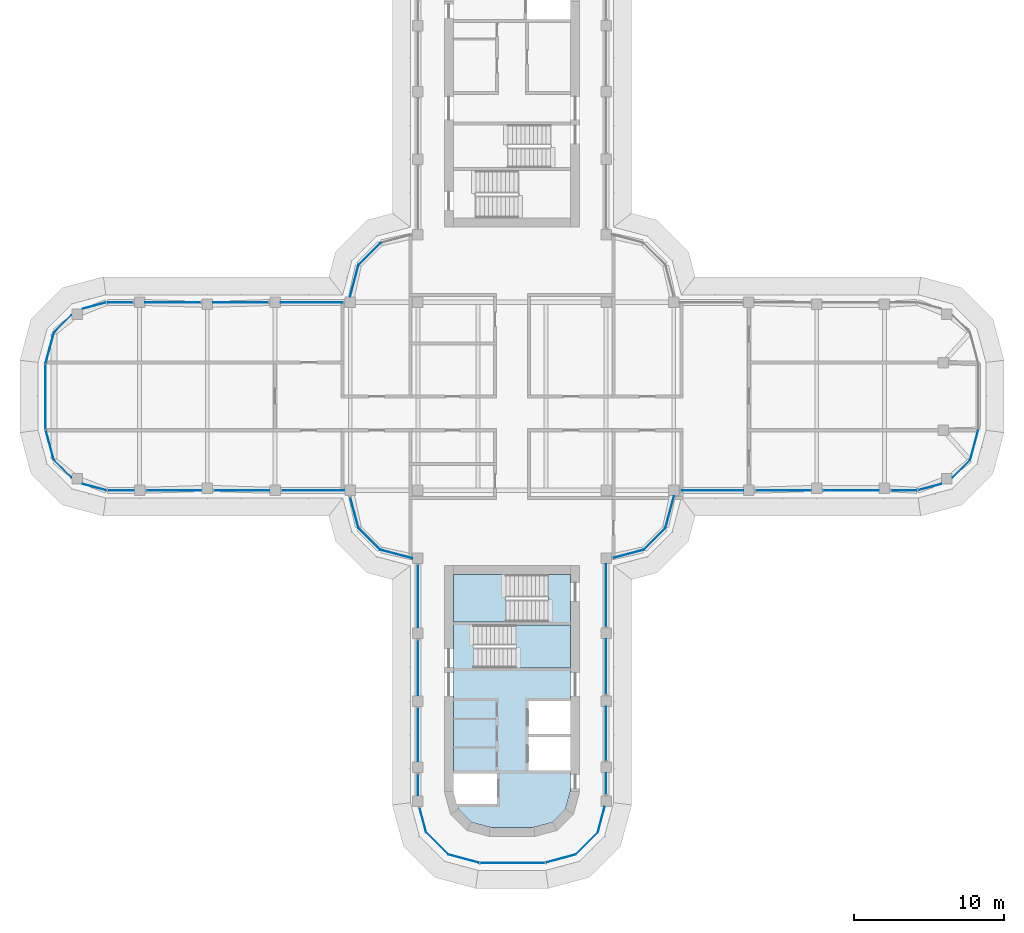
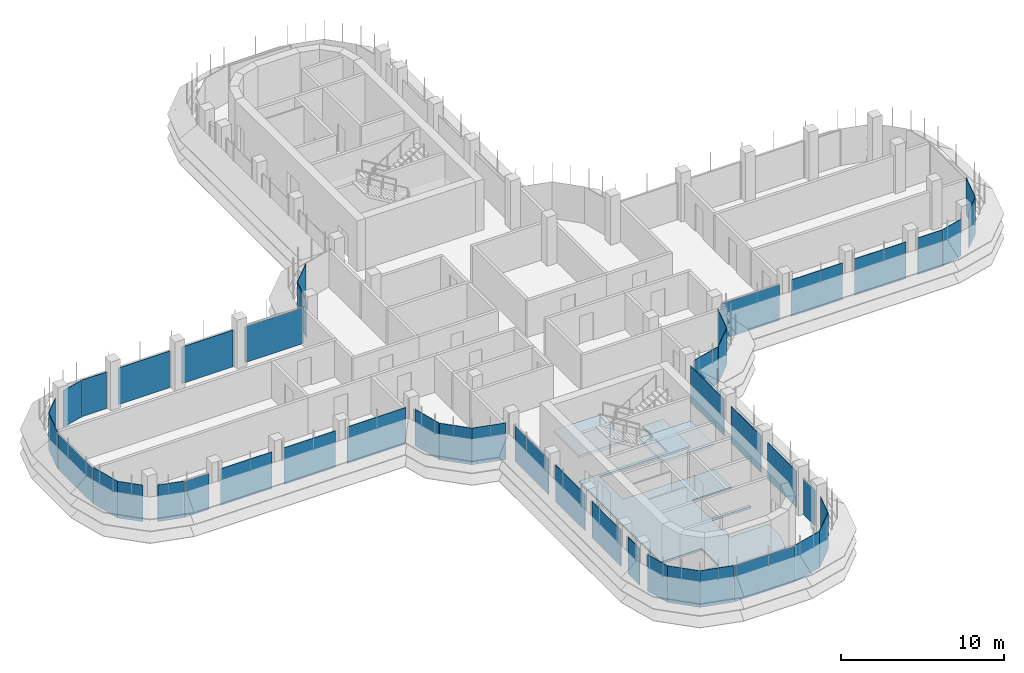
# One storey, part 11 of 19: 45 plates, 3 slabs, 32 elements without a shape of their own.
"""IFC4 building model written with IfcOpenShell, lengths in metres."""

import ifcopenshell
import ifcopenshell.guid

model = None  # the IFC model being written
_history = None  # IfcOwnerHistory: only IFC2X3 demands one
_inside = {}  # id of a spatial element -> (the spatial element, [elements in it])
_under = {}  # id of a project, library or spatial element -> (it, [spatial elements below it])
_declared = {}  # id of a project -> (the project, [libraries it declares])
_typed = {}  # id of a type object -> (the type object, [elements of that type])
_made_of = {}  # id of a material, layer set ... -> (it, [elements and type objects made of it])


def new_model(schema):
    """Start an empty IFC model of exactly this schema.

    Asked for "IFC4X3", IfcOpenShell would pick the latest addendum, in which some entities
    have other attributes; the version numbers below select the first issue.
    IFC2X3 requires an IfcOwnerHistory on every rooted entity: one is made here for all.
    """
    global model, _history
    if schema == "IFC4X3":
        model = ifcopenshell.file(schema_version=(4, 3, 0, 0))
    else:
        model = ifcopenshell.file(schema=schema)
    _inside.clear()
    _under.clear()
    _declared.clear()
    _typed.clear()
    _made_of.clear()
    _history = None
    if model.schema == "IFC2X3":
        org = make("IfcOrganization", Name="unknown")
        user = make(
            "IfcPersonAndOrganization",
            ThePerson=make("IfcPerson", FamilyName="unknown"),
            TheOrganization=org,
        )
        app = make(
            "IfcApplication",
            ApplicationDeveloper=org,
            Version="unknown",
            ApplicationFullName="unknown",
            ApplicationIdentifier="unknown",
        )
        _history = make(
            "IfcOwnerHistory",
            OwningUser=user,
            OwningApplication=app,
            ChangeAction="ADDED",
            CreationDate=0,
        )
    return model


def make(cls, **values):
    """One entity of the class cls with the attributes given. An attribute that is None is left unset."""
    return model.create_entity(
        cls, **{name: value for name, value in values.items() if value is not None}
    )


def rooted(cls, **values):
    """An entity with a GlobalId (a new one), such as an element, a storey or a relation."""
    return make(cls, GlobalId=ifcopenshell.guid.new(), OwnerHistory=_history, **values)


def si_unit(unit_type, name, prefix=None):
    """IfcSIUnit, for example si_unit("LENGTHUNIT", "METRE", prefix="MILLI")."""
    return make("IfcSIUnit", UnitType=unit_type, Prefix=prefix, Name=name)


def assignment(units):
    """IfcUnitAssignment: the units of a project."""
    return None if units is None else make("IfcUnitAssignment", Units=units)


def point(xyz):
    """IfcCartesianPoint."""
    return None if xyz is None else make("IfcCartesianPoint", Coordinates=xyz)


def direction(xyz):
    """IfcDirection."""
    return None if xyz is None else make("IfcDirection", DirectionRatios=xyz)


def frame(location, z_axis=None, x_axis=None):
    """IfcAxis2Placement3D, a coordinate frame: its origin and axes. An axis left out is left unset."""
    return make(
        "IfcAxis2Placement3D",
        Location=point(location),
        Axis=direction(z_axis),
        RefDirection=direction(x_axis),
    )


def origin():
    """The frame at (0, 0, 0) with its axes left unset."""
    return frame((0.0, 0.0, 0.0))


def place(relative_to, where):
    """IfcLocalPlacement: puts the frame where relative to a parent placement (None: the world)."""
    return make(
        "IfcLocalPlacement", PlacementRelTo=relative_to, RelativePlacement=where
    )


def context(
    kind, dimensions, precision=None, world=None, true_north=None, identifier=None
):
    """IfcGeometricRepresentationContext, for example the 3D "Model" context."""
    return make(
        "IfcGeometricRepresentationContext",
        ContextIdentifier=identifier,
        ContextType=kind,
        CoordinateSpaceDimension=dimensions,
        Precision=precision,
        WorldCoordinateSystem=world,
        TrueNorth=true_north,
    )


def subcontext(parent, identifier, kind, view, scale=None):
    """IfcGeometricRepresentationSubContext, for example "Body" below "Model"."""
    return make(
        "IfcGeometricRepresentationSubContext",
        ContextIdentifier=identifier,
        ContextType=kind,
        ParentContext=parent,
        TargetScale=scale,
        TargetView=view,
    )


def project(units=None, contexts=None):
    """IfcProject with its units and contexts."""
    return rooted(
        "IfcProject",
        Name="project",
        RepresentationContexts=contexts,
        UnitsInContext=assignment(units),
    )


def spatial(cls, under=None, at=None, **own):
    """A site, building, storey or space (cls), placed at a placement, below another one or the project."""
    s = rooted(cls, ObjectPlacement=at, **own)
    if under is not None:
        _under.setdefault(under.id(), (under, []))[1].append(s)
    return s


def polyline(points):
    """IfcPolyline through the points."""
    return make("IfcPolyline", Points=[point(p) for p in points])


def outline(outer, holes=None, kind="AREA"):
    """IfcArbitraryClosedProfileDef: a profile drawn as a closed curve; with holes, ...WithVoids."""
    if holes is None:
        return make("IfcArbitraryClosedProfileDef", ProfileType=kind, OuterCurve=outer)
    return make(
        "IfcArbitraryProfileDefWithVoids",
        ProfileType=kind,
        OuterCurve=outer,
        InnerCurves=holes,
    )


def extrude(swept, where, along, depth):
    """IfcExtrudedAreaSolid: the profile swept, set in the frame where, extruded along a direction by depth."""
    return make(
        "IfcExtrudedAreaSolid",
        SweptArea=swept,
        Position=where,
        ExtrudedDirection=direction(along),
        Depth=depth,
    )


def shape(context_of_items, identifier, shape_type, items):
    """IfcShapeRepresentation: the items that make up one representation, for example the "Body"."""
    return make(
        "IfcShapeRepresentation",
        ContextOfItems=context_of_items,
        RepresentationIdentifier=identifier,
        RepresentationType=shape_type,
        Items=items,
    )


def source(mapping_origin, context_of_items, identifier, shape_type, items):
    """IfcRepresentationMap: a shape defined once, which mapped items show again and again."""
    return make(
        "IfcRepresentationMap",
        MappingOrigin=mapping_origin,
        MappedRepresentation=shape(context_of_items, identifier, shape_type, items),
    )


def transform(
    local_origin,
    x_axis=None,
    y_axis=None,
    z_axis=None,
    scale=None,
    scale2=None,
    scale3=None,
    uniform=True,
):
    """IfcCartesianTransformationOperator3D, or its non-uniform kind. x_axis, y_axis, z_axis: its Axis1, 2, 3."""
    if uniform:
        return make(
            "IfcCartesianTransformationOperator3D",
            Axis1=direction(x_axis),
            Axis2=direction(y_axis),
            LocalOrigin=point(local_origin),
            Scale=scale,
            Axis3=direction(z_axis),
        )
    return make(
        "IfcCartesianTransformationOperator3DnonUniform",
        Axis1=direction(x_axis),
        Axis2=direction(y_axis),
        LocalOrigin=point(local_origin),
        Scale=scale,
        Axis3=direction(z_axis),
        Scale2=scale2,
        Scale3=scale3,
    )


def mapped(mapping_source, mapping_target):
    """IfcMappedItem: shows the shape of a source again, moved by a transform."""
    return make(
        "IfcMappedItem", MappingSource=mapping_source, MappingTarget=mapping_target
    )


def material(Name=None, Category=None):
    """IfcMaterial."""
    return make("IfcMaterial", Name=Name, Category=Category)


def layer(
    of_material, thickness, ventilated=None, Name=None, Category=None, Priority=None
):
    """IfcMaterialLayer: one layer of a wall or slab, of a material (None: an air gap)."""
    return make(
        "IfcMaterialLayer",
        Material=of_material,
        LayerThickness=thickness,
        IsVentilated=ventilated,
        Name=Name,
        Category=Category,
        Priority=Priority,
    )


def layer_set(layers, Name=None):
    """IfcMaterialLayerSet."""
    return make("IfcMaterialLayerSet", MaterialLayers=layers, LayerSetName=Name)


def made_of(thing, what):
    """Note that an element or type object is made of a material, layer set ...; save() writes the relation."""
    if what is not None:
        _made_of.setdefault(what.id(), (what, []))[1].append(thing)
    return thing


def type_object(cls, material=None, **own):
    """A type object (cls), such as IfcWallType, which elements share."""
    return made_of(rooted(cls, **own), material)


def element(
    cls,
    number,
    at=None,
    inside=None,
    cuts=None,
    type_object=None,
    material=None,
    context=None,
    identifier="Body",
    shape_type=None,
    held_by="IfcProductDefinitionShape",
    body=None,
    shapes=None,
    **own,
):
    """One element of the class cls, such as IfcWall. Its Tag is "e" and its number.

    at: its placement. inside: the storey or other place that contains it. cuts: it is an
    opening in that element (IfcRelVoidsElement). A single representation is given by context,
    identifier, shape_type and body (its items); several are given by shapes. held_by: the class
    of the entity that holds the representations. save() writes the other relations.
    """
    e = rooted(cls, Tag="e%d" % number, ObjectPlacement=at, **own)
    if body is not None:
        shapes = [shape(context, identifier, shape_type, body)]
    if shapes is not None:
        e.Representation = make(held_by, Representations=shapes)
    if inside is not None:
        _inside.setdefault(inside.id(), (inside, []))[1].append(e)
    if cuts is not None:
        rooted(
            "IfcRelVoidsElement", RelatingBuildingElement=cuts, RelatedOpeningElement=e
        )
    if type_object is not None:
        _typed.setdefault(type_object.id(), (type_object, []))[1].append(e)
    return made_of(e, material)


def aggregate(whole, parts):
    """IfcRelAggregates: a whole, such as a stair, and the parts it consists of."""
    return rooted("IfcRelAggregates", RelatingObject=whole, RelatedObjects=parts)


def save(model, path):
    """Write the relations noted so far, then the file.

    IfcRelAggregates (storeys below a building ...), IfcRelContainedInSpatialStructure (elements
    in a storey), IfcRelDefinesByType, IfcRelAssociatesMaterial and IfcRelDeclares: one each for
    every whole, place, type object, material and project.
    """
    for whole, parts in _under.values():
        aggregate(whole, parts)
    for where, things in _inside.values():
        rooted(
            "IfcRelContainedInSpatialStructure",
            RelatedElements=things,
            RelatingStructure=where,
        )
    for kind, things in _typed.values():
        rooted("IfcRelDefinesByType", RelatedObjects=things, RelatingType=kind)
    for what, things in _made_of.values():
        rooted("IfcRelAssociatesMaterial", RelatedObjects=things, RelatingMaterial=what)
    for by, libraries in _declared.values():
        rooted("IfcRelDeclares", RelatingContext=by, RelatedDefinitions=libraries)
    model.write(path)


model = new_model("IFC4")

# Units and contexts
model_context = context("Model", 3, precision=1e-05, world=origin(), true_north=direction((0.0, 1.0)))
body_context = subcontext(model_context, "Body", "Model", "MODEL_VIEW")
ifc_project = project(units=[si_unit("LENGTHUNIT", "METRE"), si_unit("AREAUNIT", "SQUARE_METRE"), si_unit("VOLUMEUNIT", "CUBIC_METRE"), si_unit("PLANEANGLEUNIT", "RADIAN"), si_unit("MASSUNIT", "GRAM", prefix="KILO")], contexts=[model_context])

# Site, building, storey
site_placement = place(None, origin())
site = spatial("IfcSite", under=ifc_project, at=site_placement, CompositionType="ELEMENT")
building_placement = place(site_placement, origin())
building = spatial("IfcBuilding", under=site, at=building_placement, Name="Zarbagh Exchange Tower", CompositionType="ELEMENT")
storey_placement = place(building_placement, frame((0.0, 0.0, 199.199951171875)))
storey = spatial("IfcBuildingStorey", under=building, at=storey_placement, Name="L48", CompositionType="ELEMENT", Elevation=199.199951171875)

# Slab
ifc_material_1 = material(Name="Concrete C40/50", Category="concrete")
ifc_layer_1 = layer(ifc_material_1, 0.14990234375)
ifc_layer_set_1 = layer_set([ifc_layer_1], Name="Core floor slab 150 C40/50")
slab_type_1 = type_object("IfcSlabType", Name="Core floor slab 150 C40/50", PredefinedType="FLOOR", material=ifc_layer_set_1)
slab_1_placement = place(storey_placement, frame((0.0, 0.0, -0.14990234375)))
element("IfcSlab", 1, at=slab_1_placement, inside=storey, type_object=slab_type_1, Name="S17 core S", PredefinedType="FLOOR", context=body_context, shape_type="SweptSolid", body=[
    extrude(outline(polyline([(-2.689453125, -28.31005859375), (-3.56005859375, -27.439453125), (-3.651123046875, -27.10009765625), (-1.0, -27.10009765625), (-1.0, -25.050048828125), (-3.89990234375, -25.050048828125), (-3.89990234375, -15.0), (2.39990234375, -15.0), (2.39990234375, -11.85009765625), (3.89990234375, -11.85009765625), (3.89990234375, -15.199951171875), (-2.550048828125, -15.199951171875), (-2.550048828125, -18.050048828125), (3.89990234375, -18.050048828125), (3.89990234375, -20.25), (1.10009765625, -20.25), (1.10009765625, -22.449951171875), (3.89990234375, -22.449951171875), (3.89990234375, -22.64990234375), (1.10009765625, -22.64990234375), (1.10009765625, -24.85009765625), (3.89990234375, -24.85009765625), (3.89990234375, -26.1708984375), (3.56005859375, -27.439453125), (2.689453125, -28.31005859375), (1.4208984375, -28.64990234375), (-1.4208984375, -28.64990234375), (-2.689453125, -28.31005859375)])), origin(), (0.0, 0.0, 1.0), 0.14990234375),
])

# Stair, slab
stair_type = type_object("IfcStairType", Name="Exit stair two-flight half-turn", PredefinedType="HALF_TURN_STAIR", material=ifc_material_1)
stair_1_placement = place(storey_placement, origin())
stair_1 = element("IfcStair", 2, at=stair_1_placement, inside=storey, type_object=stair_type, Name="exit stair ST3", PredefinedType="HALF_TURN_STAIR")
ifc_layer_2 = layer(ifc_material_1, 0.199951171875)
ifc_layer_set_2 = layer_set([ifc_layer_2], Name="Stair landing 200 mm")
slab_type_2 = type_object("IfcSlabType", Name="Stair landing 200 mm", PredefinedType="LANDING", material=ifc_layer_set_2)
slab_2_placement = place(storey_placement, frame((0.0, 0.0, 1.699951171875)))
slab_2 = element("IfcSlab", 3, at=slab_2_placement, type_object=slab_type_2, Name="ST3 landing 1", PredefinedType="LANDING", context=body_context, shape_type="SweptSolid", body=[
    extrude(outline(polyline([(0.25, -18.050048828125), (3.89990234375, -18.050048828125), (3.89990234375, -15.199951171875), (0.25, -15.199951171875), (0.25, -18.050048828125)])), origin(), (0.0, 0.0, 1.0), 0.2001953125),
])
aggregate(stair_1, [slab_2])

stair_2_placement = place(storey_placement, origin())
stair_2 = element("IfcStair", 4, at=stair_2_placement, inside=storey, type_object=stair_type, Name="exit stair ST4", PredefinedType="HALF_TURN_STAIR")
slab_3_placement = place(storey_placement, frame((0.0, 0.0, 1.699951171875)))
slab_3 = element("IfcSlab", 5, at=slab_3_placement, type_object=slab_type_2, Name="ST4 landing 1", PredefinedType="LANDING", context=body_context, shape_type="SweptSolid", body=[
    extrude(outline(polyline([(-0.39990234375, -11.85009765625), (-3.89990234375, -11.85009765625), (-3.89990234375, -15.0), (-0.39990234375, -15.0), (-0.39990234375, -11.85009765625)])), origin(), (0.0, 0.0, 1.0), 0.2001953125),
])
aggregate(stair_2, [slab_3])

# Curtain wall, plate
ifc_material_2 = material(Name="Anodised aluminium frame and glazing", Category="aluminium")
curtain_wall_type = type_object("IfcCurtainWallType", Name="CWB Ribbon glazing, upper zones", PredefinedType="NOTDEFINED", material=ifc_material_2)
curtain_wall_1_placement = place(storey_placement, origin())
curtain_wall_1 = element("IfcCurtainWall", 6, at=curtain_wall_1_placement, inside=storey, type_object=curtain_wall_type, Name="CWB50 curtain wall", PredefinedType="NOTDEFINED")
ifc_material_3 = material(Name="Low-e double glazed unit, 6+12+6 mm")
ifc_layer_3 = layer(ifc_material_3, 0.031982421875)
ifc_layer_set_3 = layer_set([ifc_layer_3], Name="PAB Glazing panel, Low-e double glazed unit, 6+12+6 mm")
plate_type = type_object("IfcPlateType", Name="PAB Glazing panel, Low-e double glazed unit, 6+12+6 mm", PredefinedType="CURTAIN_PANEL", material=ifc_layer_set_3)
shared_shape_1 = source(origin(), body_context, "Body", "SweptSolid", [
    extrude(outline(polyline([(0.0, -0.01611328125), (2.061279296875, -0.01611328125), (2.061279296875, 0.01611328125), (0.0, 0.01611328125), (0.0, -0.01611328125)])), origin(), (0.0, 0.0, 1.0), 2.75),
])
placement = place(storey_placement, origin())
plate_1 = element("IfcPlate", 7, at=placement, type_object=plate_type, Name="CWB50 glazing panel 1.1", PredefinedType="CURTAIN_PANEL", context=body_context, shape_type="MappedRepresentation", body=[
    mapped(shared_shape_1, transform((4.2412109375, -30.44873046875, 0.0), x_axis=(0.707106781187, 0.707106781187, 0.0), y_axis=(-0.707106781187, 0.707106781187, 0.0), z_axis=(0.0, 0.0, 1.0))),
])
aggregate(curtain_wall_1, [plate_1])

curtain_wall_2_placement = place(storey_placement, origin())
curtain_wall_2 = element("IfcCurtainWall", 8, at=curtain_wall_2_placement, inside=storey, type_object=curtain_wall_type, Name="CWB06 curtain wall", PredefinedType="NOTDEFINED")
plate_2 = element("IfcPlate", 9, at=placement, type_object=plate_type, Name="CWB06 glazing panel 1.1", PredefinedType="CURTAIN_PANEL", context=body_context, shape_type="MappedRepresentation", body=[
    mapped(shared_shape_1, transform((8.7412109375, -10.19873046875, 0.0), x_axis=(0.707106781187, 0.707106781187, 0.0), y_axis=(-0.707106781187, 0.707106781187, 0.0), z_axis=(0.0, 0.0, 1.0))),
])
aggregate(curtain_wall_2, [plate_2])

curtain_wall_3_placement = place(storey_placement, origin())
curtain_wall_3 = element("IfcCurtainWall", 10, at=curtain_wall_3_placement, inside=storey, type_object=curtain_wall_type, Name="CWB30 curtain wall", PredefinedType="NOTDEFINED")
plate_3 = element("IfcPlate", 11, at=placement, type_object=plate_type, Name="CWB30 glazing panel 1.1", PredefinedType="CURTAIN_PANEL", context=body_context, shape_type="MappedRepresentation", body=[
    mapped(shared_shape_1, transform((-8.7412109375, 10.19873046875, 0.0), x_axis=(-0.707106781187, -0.707106781187, 0.0), y_axis=(0.707106781187, -0.707106781187, 0.0), z_axis=(0.0, 0.0, 1.0))),
])
aggregate(curtain_wall_3, [plate_3])

curtain_wall_4_placement = place(storey_placement, origin())
curtain_wall_4 = element("IfcCurtainWall", 12, at=curtain_wall_4_placement, inside=storey, type_object=curtain_wall_type, Name="CWB42 curtain wall", PredefinedType="NOTDEFINED")
plate_4 = element("IfcPlate", 13, at=placement, type_object=plate_type, Name="CWB42 glazing panel 1.1", PredefinedType="CURTAIN_PANEL", context=body_context, shape_type="MappedRepresentation", body=[
    mapped(shared_shape_1, transform((-10.19873046875, -8.7412109375, 0.0), x_axis=(0.707106781187, -0.707106781187, 0.0), y_axis=(0.707106781187, 0.707106781187, 0.0), z_axis=(0.0, 0.0, 1.0))),
])
aggregate(curtain_wall_4, [plate_4])

curtain_wall_5_placement = place(storey_placement, origin())
curtain_wall_5 = element("IfcCurtainWall", 14, at=curtain_wall_5_placement, inside=storey, type_object=curtain_wall_type, Name="CWB55 curtain wall", PredefinedType="NOTDEFINED")
plate_5 = element("IfcPlate", 15, at=placement, type_object=plate_type, Name="CWB55 glazing panel 1.1", PredefinedType="CURTAIN_PANEL", context=body_context, shape_type="MappedRepresentation", body=[
    mapped(shared_shape_1, transform((-5.69873046875, -28.9912109375, 0.0), x_axis=(0.707106781187, -0.707106781187, 0.0), y_axis=(0.707106781187, 0.707106781187, 0.0), z_axis=(0.0, 0.0, 1.0))),
])
aggregate(curtain_wall_5, [plate_5])

curtain_wall_6_placement = place(storey_placement, origin())
curtain_wall_6 = element("IfcCurtainWall", 16, at=curtain_wall_6_placement, inside=storey, type_object=curtain_wall_type, Name="CWB11 curtain wall", PredefinedType="NOTDEFINED")
shared_shape_2 = source(origin(), body_context, "Body", "SweptSolid", [
    extrude(outline(polyline([(0.0, -0.01611328125), (2.129638671875, -0.01611328125), (2.129638671875, 0.01611328125), (0.0, 0.01611328125), (0.0, -0.01611328125)])), origin(), (0.0, 0.0, 1.0), 2.75),
])
plate_6 = element("IfcPlate", 17, at=placement, type_object=plate_type, Name="CWB11 glazing panel 1.1", PredefinedType="CURTAIN_PANEL", context=body_context, shape_type="MappedRepresentation", body=[
    mapped(shared_shape_2, transform((30.44873046875, -4.2412109375, 0.0), x_axis=(0.258824779902, 0.965924289636, 0.0), y_axis=(-0.965924289636, 0.258824779902, 0.0), z_axis=(0.0, 0.0, 1.0))),
])
aggregate(curtain_wall_6, [plate_6])

curtain_wall_7_placement = place(storey_placement, origin())
curtain_wall_7 = element("IfcCurtainWall", 18, at=curtain_wall_7_placement, inside=storey, type_object=curtain_wall_type, Name="CWB61 curtain wall", PredefinedType="NOTDEFINED")
plate_7 = element("IfcPlate", 19, at=placement, type_object=plate_type, Name="CWB61 glazing panel 1.1", PredefinedType="CURTAIN_PANEL", context=body_context, shape_type="MappedRepresentation", body=[
    mapped(shared_shape_2, transform((-30.44873046875, 4.2412109375, 0.0), x_axis=(-0.258824779902, -0.965924289636, 0.0), y_axis=(0.965924289636, -0.258824779902, 0.0), z_axis=(0.0, 0.0, 1.0))),
])
aggregate(curtain_wall_7, [plate_7])

curtain_wall_8_placement = place(storey_placement, origin())
curtain_wall_8 = element("IfcCurtainWall", 20, at=curtain_wall_8_placement, inside=storey, type_object=curtain_wall_type, Name="CWB56 curtain wall", PredefinedType="NOTDEFINED")
plate_8 = element("IfcPlate", 21, at=placement, type_object=plate_type, Name="CWB56 glazing panel 1.1", PredefinedType="CURTAIN_PANEL", context=body_context, shape_type="MappedRepresentation", body=[
    mapped(shared_shape_2, transform((-4.2412109375, -30.44873046875, 0.0), x_axis=(0.965924289636, -0.258824779902, 0.0), y_axis=(0.258824779902, 0.965924289636, 0.0), z_axis=(0.0, 0.0, 1.0))),
])
aggregate(curtain_wall_8, [plate_8])

curtain_wall_9_placement = place(storey_placement, origin())
curtain_wall_9 = element("IfcCurtainWall", 22, at=curtain_wall_9_placement, inside=storey, type_object=curtain_wall_type, Name="CWB52 curtain wall", PredefinedType="NOTDEFINED")
shared_shape_3 = source(origin(), body_context, "Body", "SweptSolid", [
    extrude(outline(polyline([(0.0, -0.01611328125), (3.56005859375, -0.01611328125), (3.56005859375, 0.01611328125), (0.0, 0.01611328125), (0.0, -0.01611328125)])), origin(), (0.0, 0.0, 1.0), 2.75),
])
plate_9 = element("IfcPlate", 23, at=placement, type_object=plate_type, Name="CWB52 glazing panel 2.1", PredefinedType="CURTAIN_PANEL", context=body_context, shape_type="MappedRepresentation", body=[
    mapped(shared_shape_3, transform((6.25, -24.199951171875, 0.0), x_axis=(0.0, 1.0, 0.0), y_axis=(-1.0, 0.0, 0.0), z_axis=(0.0, 0.0, 1.0))),
])

curtain_wall_10_placement = place(storey_placement, origin())
curtain_wall_10 = element("IfcCurtainWall", 24, at=curtain_wall_10_placement, inside=storey, type_object=curtain_wall_type, Name="CWB53 curtain wall", PredefinedType="NOTDEFINED")
plate_10 = element("IfcPlate", 25, at=placement, type_object=plate_type, Name="CWB53 glazing panel 3.1", PredefinedType="CURTAIN_PANEL", context=body_context, shape_type="MappedRepresentation", body=[
    mapped(shared_shape_3, transform((-6.25, -20.699951171875, 0.0), x_axis=(0.0, -1.0, 0.0), y_axis=(1.0, 0.0, 0.0), z_axis=(0.0, 0.0, 1.0))),
])

curtain_wall_11_placement = place(storey_placement, origin())
curtain_wall_11 = element("IfcCurtainWall", 26, at=curtain_wall_11_placement, inside=storey, type_object=curtain_wall_type, Name="CWB66 curtain wall", PredefinedType="NOTDEFINED")
shared_shape_4 = source(origin(), body_context, "Body", "SweptSolid", [
    extrude(outline(polyline([(0.0, -0.01611328125), (4.308349609375, -0.01611328125), (4.308349609375, 0.01611328125), (0.0, 0.01611328125), (0.0, -0.01611328125)])), origin(), (0.0, 0.0, 1.0), 2.68994140625),
])
plate_11 = element("IfcPlate", 27, at=placement, type_object=plate_type, Name="CWB66 glazing panel 1.1", PredefinedType="CURTAIN_PANEL", context=body_context, shape_type="MappedRepresentation", body=[
    mapped(shared_shape_4, transform((-31.0, 2.124267578125, 0.0), x_axis=(0.0, -1.0, 0.0), y_axis=(1.0, 0.0, 0.0), z_axis=(0.0, 0.0, 1.0))),
])
aggregate(curtain_wall_11, [plate_11])

curtain_wall_12_placement = place(storey_placement, origin())
curtain_wall_12 = element("IfcCurtainWall", 28, at=curtain_wall_12_placement, inside=storey, type_object=curtain_wall_type, Name="CWB57 curtain wall", PredefinedType="NOTDEFINED")
plate_12 = element("IfcPlate", 29, at=placement, type_object=plate_type, Name="CWB57 glazing panel 1.1", PredefinedType="CURTAIN_PANEL", context=body_context, shape_type="MappedRepresentation", body=[
    mapped(shared_shape_4, transform((-2.124267578125, -31.0, 0.0), x_axis=(1.0, 0.0, 0.0), y_axis=(0.0, 1.0, 0.0), z_axis=(0.0, 0.0, 1.0))),
])
aggregate(curtain_wall_12, [plate_12])

curtain_wall_13_placement = place(storey_placement, origin())
curtain_wall_13 = element("IfcCurtainWall", 30, at=curtain_wall_13_placement, inside=storey, type_object=curtain_wall_type, Name="CWB49 curtain wall", PredefinedType="NOTDEFINED")
shared_shape_5 = source(origin(), body_context, "Body", "SweptSolid", [
    extrude(outline(polyline([(0.0, -0.01611328125), (2.069580078125, -0.01611328125), (2.069580078125, 0.01611328125), (0.0, 0.01611328125), (0.0, -0.01611328125)])), origin(), (0.0, 0.0, 1.0), 2.75),
])
plate_13 = element("IfcPlate", 31, at=placement, type_object=plate_type, Name="CWB49 glazing panel 1.1", PredefinedType="CURTAIN_PANEL", context=body_context, shape_type="MappedRepresentation", body=[
    mapped(shared_shape_5, transform((2.2421875, -30.984375, 0.0), x_axis=(0.965924289636, 0.258824779902, 0.0), y_axis=(-0.258824779902, 0.965924289636, 0.0), z_axis=(0.0, 0.0, 1.0))),
])
aggregate(curtain_wall_13, [plate_13])

curtain_wall_14_placement = place(storey_placement, origin())
curtain_wall_14 = element("IfcCurtainWall", 32, at=curtain_wall_14_placement, inside=storey, type_object=curtain_wall_type, Name="CWB62 curtain wall", PredefinedType="NOTDEFINED")
plate_14 = element("IfcPlate", 33, at=placement, type_object=plate_type, Name="CWB62 glazing panel 1.1", PredefinedType="CURTAIN_PANEL", context=body_context, shape_type="MappedRepresentation", body=[
    mapped(shared_shape_5, transform((-30.984375, -2.2421875, 0.0), x_axis=(0.258824779902, -0.965924289636, 0.0), y_axis=(0.965924289636, 0.258824779902, 0.0), z_axis=(0.0, 0.0, 1.0))),
])
aggregate(curtain_wall_14, [plate_14])

curtain_wall_15_placement = place(storey_placement, origin())
curtain_wall_15 = element("IfcCurtainWall", 34, at=curtain_wall_15_placement, inside=storey, type_object=curtain_wall_type, Name="CWB51 curtain wall", PredefinedType="NOTDEFINED")
shared_shape_6 = source(origin(), body_context, "Body", "SweptSolid", [
    extrude(outline(polyline([(0.0, -0.01611328125), (1.76123046875, -0.01611328125), (1.76123046875, 0.01611328125), (0.0, 0.01611328125), (0.0, -0.01611328125)])), origin(), (0.0, 0.0, 1.0), 2.75),
])
plate_15 = element("IfcPlate", 35, at=placement, type_object=plate_type, Name="CWB51 glazing panel 1.1", PredefinedType="CURTAIN_PANEL", context=body_context, shape_type="MappedRepresentation", body=[
    mapped(shared_shape_6, transform((5.69873046875, -28.9912109375, 0.0), x_axis=(0.258824779902, 0.965924289636, 0.0), y_axis=(-0.965924289636, 0.258824779902, 0.0), z_axis=(0.0, 0.0, 1.0))),
])
aggregate(curtain_wall_15, [plate_15])

# Plate
shared_shape_7 = source(origin(), body_context, "Body", "SweptSolid", [
    extrude(outline(polyline([(0.0, -0.01611328125), (1.409912109375, -0.01611328125), (1.409912109375, 0.01611328125), (0.0, 0.01611328125), (0.0, -0.01611328125)])), origin(), (0.0, 0.0, 1.0), 2.68994140625),
])
plate_16 = element("IfcPlate", 36, at=placement, type_object=plate_type, Name="CWB52 glazing panel 1.1", PredefinedType="CURTAIN_PANEL", context=body_context, shape_type="MappedRepresentation", body=[
    mapped(shared_shape_7, transform((6.25, -26.449951171875, 0.0), x_axis=(0.0, 1.0, 0.0), y_axis=(-1.0, 0.0, 0.0), z_axis=(0.0, 0.0, 1.0))),
])

shared_shape_8 = source(origin(), body_context, "Body", "SweptSolid", [
    extrude(outline(polyline([(0.0, -0.01611328125), (3.659912109375, -0.01611328125), (3.659912109375, 0.01611328125), (0.0, 0.01611328125), (0.0, -0.01611328125)])), origin(), (0.0, 0.0, 1.0), 2.75),
])
plate_17 = element("IfcPlate", 37, at=placement, type_object=plate_type, Name="CWB52 glazing panel 3.1", PredefinedType="CURTAIN_PANEL", context=body_context, shape_type="MappedRepresentation", body=[
    mapped(shared_shape_8, transform((6.25, -19.800048828125, 0.0), x_axis=(0.0, 1.0, 0.0), y_axis=(-1.0, 0.0, 0.0), z_axis=(0.0, 0.0, 1.0))),
])

# Curtain wall, plates
curtain_wall_16_placement = place(storey_placement, origin())
curtain_wall_16 = element("IfcCurtainWall", 38, at=curtain_wall_16_placement, inside=storey, type_object=curtain_wall_type, Name="CWB08 curtain wall", PredefinedType="NOTDEFINED")
plate_18 = element("IfcPlate", 39, at=placement, type_object=plate_type, Name="CWB08 glazing panel 2.1", PredefinedType="CURTAIN_PANEL", context=body_context, shape_type="MappedRepresentation", body=[
    mapped(shared_shape_8, transform((16.199951171875, -6.25, 0.0), x_axis=(1.0, 0.0, 0.0), y_axis=(0.0, 1.0, 0.0), z_axis=(0.0, 0.0, 1.0))),
])
plate_19 = element("IfcPlate", 40, at=placement, type_object=plate_type, Name="CWB08 glazing panel 3.1", PredefinedType="CURTAIN_PANEL", context=body_context, shape_type="MappedRepresentation", body=[
    mapped(shared_shape_8, transform((20.699951171875, -6.25, 0.0), x_axis=(1.0, 0.0, 0.0), y_axis=(0.0, 1.0, 0.0), z_axis=(0.0, 0.0, 1.0))),
])

curtain_wall_17_placement = place(storey_placement, origin())
curtain_wall_17 = element("IfcCurtainWall", 41, at=curtain_wall_17_placement, inside=storey, type_object=curtain_wall_type, Name="CWB58 curtain wall", PredefinedType="NOTDEFINED")
plate_20 = element("IfcPlate", 42, at=placement, type_object=plate_type, Name="CWB58 glazing panel 2.1", PredefinedType="CURTAIN_PANEL", context=body_context, shape_type="MappedRepresentation", body=[
    mapped(shared_shape_8, transform((-16.199951171875, 6.25, 0.0), x_axis=(-1.0, 0.0, 0.0), y_axis=(0.0, -1.0, 0.0), z_axis=(0.0, 0.0, 1.0))),
])
plate_21 = element("IfcPlate", 43, at=placement, type_object=plate_type, Name="CWB58 glazing panel 3.1", PredefinedType="CURTAIN_PANEL", context=body_context, shape_type="MappedRepresentation", body=[
    mapped(shared_shape_8, transform((-20.699951171875, 6.25, 0.0), x_axis=(-1.0, 0.0, 0.0), y_axis=(0.0, -1.0, 0.0), z_axis=(0.0, 0.0, 1.0))),
])

curtain_wall_18_placement = place(storey_placement, origin())
curtain_wall_18 = element("IfcCurtainWall", 44, at=curtain_wall_18_placement, inside=storey, type_object=curtain_wall_type, Name="CWB65 curtain wall", PredefinedType="NOTDEFINED")
plate_22 = element("IfcPlate", 45, at=placement, type_object=plate_type, Name="CWB65 glazing panel 2.1", PredefinedType="CURTAIN_PANEL", context=body_context, shape_type="MappedRepresentation", body=[
    mapped(shared_shape_8, transform((-24.300048828125, -6.25, 0.0), x_axis=(1.0, 0.0, 0.0), y_axis=(0.0, 1.0, 0.0), z_axis=(0.0, 0.0, 1.0))),
])
plate_23 = element("IfcPlate", 46, at=placement, type_object=plate_type, Name="CWB65 glazing panel 3.1", PredefinedType="CURTAIN_PANEL", context=body_context, shape_type="MappedRepresentation", body=[
    mapped(shared_shape_8, transform((-19.800048828125, -6.25, 0.0), x_axis=(1.0, 0.0, 0.0), y_axis=(0.0, 1.0, 0.0), z_axis=(0.0, 0.0, 1.0))),
])

# Plate
plate_24 = element("IfcPlate", 47, at=placement, type_object=plate_type, Name="CWB53 glazing panel 2.1", PredefinedType="CURTAIN_PANEL", context=body_context, shape_type="MappedRepresentation", body=[
    mapped(shared_shape_8, transform((-6.25, -16.199951171875, 0.0), x_axis=(0.0, -1.0, 0.0), y_axis=(1.0, 0.0, 0.0), z_axis=(0.0, 0.0, 1.0))),
])

shared_shape_9 = source(origin(), body_context, "Body", "SweptSolid", [
    extrude(outline(polyline([(0.0, -0.01611328125), (4.159912109375, -0.01611328125), (4.159912109375, 0.01611328125), (0.0, 0.01611328125), (0.0, -0.01611328125)])), origin(), (0.0, 0.0, 1.0), 2.75),
])
plate_25 = element("IfcPlate", 48, at=placement, type_object=plate_type, Name="CWB52 glazing panel 4.1", PredefinedType="CURTAIN_PANEL", context=body_context, shape_type="MappedRepresentation", body=[
    mapped(shared_shape_9, transform((6.25, -15.300048828125, 0.0), x_axis=(0.0, 1.0, 0.0), y_axis=(-1.0, 0.0, 0.0), z_axis=(0.0, 0.0, 1.0))),
])

aggregate(curtain_wall_9, [plate_16, plate_9, plate_17, plate_25])

plate_26 = element("IfcPlate", 49, at=placement, type_object=plate_type, Name="CWB65 glazing panel 4.1", PredefinedType="CURTAIN_PANEL", context=body_context, shape_type="MappedRepresentation", body=[
    mapped(shared_shape_9, transform((-15.300048828125, -6.25, 0.0), x_axis=(1.0, 0.0, 0.0), y_axis=(0.0, 1.0, 0.0), z_axis=(0.0, 0.0, 1.0))),
])

# Curtain wall, plate
curtain_wall_19_placement = place(storey_placement, origin())
curtain_wall_19 = element("IfcCurtainWall", 50, at=curtain_wall_19_placement, inside=storey, type_object=curtain_wall_type, Name="CWB05 curtain wall", PredefinedType="NOTDEFINED")
shared_shape_10 = source(origin(), body_context, "Body", "SweptSolid", [
    extrude(outline(polyline([(0.0, -0.01611328125), (2.115234375, -0.01611328125), (2.115234375, 0.01611328125), (0.0, 0.01611328125), (0.0, -0.01611328125)])), origin(), (0.0, 0.0, 1.0), 2.75),
])
plate_27 = element("IfcPlate", 51, at=placement, type_object=plate_type, Name="CWB05 glazing panel 1.1", PredefinedType="CURTAIN_PANEL", context=body_context, shape_type="MappedRepresentation", body=[
    mapped(shared_shape_10, transform((6.697998046875, -10.746337890625, 0.0), x_axis=(0.965924289636, 0.258824779902, 0.0), y_axis=(-0.258824779902, 0.965924289636, 0.0), z_axis=(0.0, 0.0, 1.0))),
])
aggregate(curtain_wall_19, [plate_27])

curtain_wall_20_placement = place(storey_placement, origin())
curtain_wall_20 = element("IfcCurtainWall", 52, at=curtain_wall_20_placement, inside=storey, type_object=curtain_wall_type, Name="CWB41 curtain wall", PredefinedType="NOTDEFINED")
plate_28 = element("IfcPlate", 53, at=placement, type_object=plate_type, Name="CWB41 glazing panel 1.1", PredefinedType="CURTAIN_PANEL", context=body_context, shape_type="MappedRepresentation", body=[
    mapped(shared_shape_10, transform((-10.746337890625, -6.697998046875, 0.0), x_axis=(0.258824779902, -0.965924289636, 0.0), y_axis=(0.965924289636, 0.258824779902, 0.0), z_axis=(0.0, 0.0, 1.0))),
])
aggregate(curtain_wall_20, [plate_28])

curtain_wall_21_placement = place(storey_placement, origin())
curtain_wall_21 = element("IfcCurtainWall", 54, at=curtain_wall_21_placement, inside=storey, type_object=curtain_wall_type, Name="CWB07 curtain wall", PredefinedType="NOTDEFINED")
shared_shape_11 = source(origin(), body_context, "Body", "SweptSolid", [
    extrude(outline(polyline([(0.0, -0.01611328125), (2.17529296875, -0.01611328125), (2.17529296875, 0.01611328125), (0.0, 0.01611328125), (0.0, -0.01611328125)])), origin(), (0.0, 0.0, 1.0), 2.75),
])
plate_29 = element("IfcPlate", 55, at=placement, type_object=plate_type, Name="CWB07 glazing panel 1.1", PredefinedType="CURTAIN_PANEL", context=body_context, shape_type="MappedRepresentation", body=[
    mapped(shared_shape_11, transform((10.19873046875, -8.7412109375, 0.0), x_axis=(0.258824779902, 0.965924289636, 0.0), y_axis=(-0.965924289636, 0.258824779902, 0.0), z_axis=(0.0, 0.0, 1.0))),
])
aggregate(curtain_wall_21, [plate_29])

curtain_wall_22_placement = place(storey_placement, origin())
curtain_wall_22 = element("IfcCurtainWall", 56, at=curtain_wall_22_placement, inside=storey, type_object=curtain_wall_type, Name="CWB31 curtain wall", PredefinedType="NOTDEFINED")
plate_30 = element("IfcPlate", 57, at=placement, type_object=plate_type, Name="CWB31 glazing panel 1.1", PredefinedType="CURTAIN_PANEL", context=body_context, shape_type="MappedRepresentation", body=[
    mapped(shared_shape_11, transform((-10.19873046875, 8.7412109375, 0.0), x_axis=(-0.258824779902, -0.965924289636, 0.0), y_axis=(0.965924289636, -0.258824779902, 0.0), z_axis=(0.0, 0.0, 1.0))),
])
aggregate(curtain_wall_22, [plate_30])

curtain_wall_23_placement = place(storey_placement, origin())
curtain_wall_23 = element("IfcCurtainWall", 58, at=curtain_wall_23_placement, inside=storey, type_object=curtain_wall_type, Name="CWB43 curtain wall", PredefinedType="NOTDEFINED")
plate_31 = element("IfcPlate", 59, at=placement, type_object=plate_type, Name="CWB43 glazing panel 1.1", PredefinedType="CURTAIN_PANEL", context=body_context, shape_type="MappedRepresentation", body=[
    mapped(shared_shape_11, transform((-8.7412109375, -10.19873046875, 0.0), x_axis=(0.965924289636, -0.258824779902, 0.0), y_axis=(0.258824779902, 0.965924289636, 0.0), z_axis=(0.0, 0.0, 1.0))),
])
aggregate(curtain_wall_23, [plate_31])

# Plate
shared_shape_12 = source(origin(), body_context, "Body", "SweptSolid", [
    extrude(outline(polyline([(0.0, -0.01611328125), (4.159912109375, -0.01611328125), (4.159912109375, 0.01611328125), (0.0, 0.01611328125), (0.0, -0.01611328125)])), origin(), (0.0, 0.0, 1.0), 2.68994140625),
])
plate_32 = element("IfcPlate", 60, at=placement, type_object=plate_type, Name="CWB08 glazing panel 1.1", PredefinedType="CURTAIN_PANEL", context=body_context, shape_type="MappedRepresentation", body=[
    mapped(shared_shape_12, transform((11.199951171875, -6.25, 0.0), x_axis=(1.0, 0.0, 0.0), y_axis=(0.0, 1.0, 0.0), z_axis=(0.0, 0.0, 1.0))),
])

plate_33 = element("IfcPlate", 61, at=placement, type_object=plate_type, Name="CWB58 glazing panel 1.1", PredefinedType="CURTAIN_PANEL", context=body_context, shape_type="MappedRepresentation", body=[
    mapped(shared_shape_12, transform((-11.199951171875, 6.25, 0.0), x_axis=(-1.0, 0.0, 0.0), y_axis=(0.0, -1.0, 0.0), z_axis=(0.0, 0.0, 1.0))),
])

plate_34 = element("IfcPlate", 62, at=placement, type_object=plate_type, Name="CWB53 glazing panel 1.1", PredefinedType="CURTAIN_PANEL", context=body_context, shape_type="MappedRepresentation", body=[
    mapped(shared_shape_12, transform((-6.25, -11.199951171875, 0.0), x_axis=(0.0, -1.0, 0.0), y_axis=(1.0, 0.0, 0.0), z_axis=(0.0, 0.0, 1.0))),
])

shared_shape_13 = source(origin(), body_context, "Body", "SweptSolid", [
    extrude(outline(polyline([(0.0, -0.01611328125), (1.734130859375, -0.01611328125), (1.734130859375, 0.01611328125), (0.0, 0.01611328125), (0.0, -0.01611328125)])), origin(), (0.0, 0.0, 1.0), 2.75),
])
plate_35 = element("IfcPlate", 63, at=placement, type_object=plate_type, Name="CWB08 glazing panel 4.1", PredefinedType="CURTAIN_PANEL", context=body_context, shape_type="MappedRepresentation", body=[
    mapped(shared_shape_13, transform((25.199951171875, -6.25, 0.0), x_axis=(1.0, 0.0, 0.0), y_axis=(0.0, 1.0, 0.0), z_axis=(0.0, 0.0, 1.0))),
])

aggregate(curtain_wall_16, [plate_32, plate_18, plate_19, plate_35])

plate_36 = element("IfcPlate", 64, at=placement, type_object=plate_type, Name="CWB58 glazing panel 4.1", PredefinedType="CURTAIN_PANEL", context=body_context, shape_type="MappedRepresentation", body=[
    mapped(shared_shape_13, transform((-25.199951171875, 6.25, 0.0), x_axis=(-1.0, 0.0, 0.0), y_axis=(0.0, -1.0, 0.0), z_axis=(0.0, 0.0, 1.0))),
])

aggregate(curtain_wall_17, [plate_33, plate_20, plate_21, plate_36])

# Curtain wall, plate
curtain_wall_24_placement = place(storey_placement, origin())
curtain_wall_24 = element("IfcCurtainWall", 65, at=curtain_wall_24_placement, inside=storey, type_object=curtain_wall_type, Name="CWB09 curtain wall", PredefinedType="NOTDEFINED")
shared_shape_14 = source(origin(), body_context, "Body", "SweptSolid", [
    extrude(outline(polyline([(0.0, -0.01611328125), (1.57958984375, -0.01611328125), (1.57958984375, 0.01611328125), (0.0, 0.01611328125), (0.0, -0.01611328125)])), origin(), (0.0, 0.0, 1.0), 2.75),
])
plate_37 = element("IfcPlate", 66, at=placement, type_object=plate_type, Name="CWB09 glazing panel 1.1", PredefinedType="CURTAIN_PANEL", context=body_context, shape_type="MappedRepresentation", body=[
    mapped(shared_shape_14, transform((26.9921875, -6.234375, 0.0), x_axis=(0.965924289636, 0.258824779902, 0.0), y_axis=(-0.258824779902, 0.965924289636, 0.0), z_axis=(0.0, 0.0, 1.0))),
])
aggregate(curtain_wall_24, [plate_37])

curtain_wall_25_placement = place(storey_placement, origin())
curtain_wall_25 = element("IfcCurtainWall", 67, at=curtain_wall_25_placement, inside=storey, type_object=curtain_wall_type, Name="CWB59 curtain wall", PredefinedType="NOTDEFINED")
plate_38 = element("IfcPlate", 68, at=placement, type_object=plate_type, Name="CWB59 glazing panel 1.1", PredefinedType="CURTAIN_PANEL", context=body_context, shape_type="MappedRepresentation", body=[
    mapped(shared_shape_14, transform((-26.9921875, 6.234375, 0.0), x_axis=(-0.965924289636, -0.258824779902, 0.0), y_axis=(0.258824779902, -0.965924289636, 0.0), z_axis=(0.0, 0.0, 1.0))),
])
aggregate(curtain_wall_25, [plate_38])

curtain_wall_26_placement = place(storey_placement, origin())
curtain_wall_26 = element("IfcCurtainWall", 69, at=curtain_wall_26_placement, inside=storey, type_object=curtain_wall_type, Name="CWB10 curtain wall", PredefinedType="NOTDEFINED")
shared_shape_15 = source(origin(), body_context, "Body", "SweptSolid", [
    extrude(outline(polyline([(0.0, -0.01611328125), (1.62744140625, -0.01611328125), (1.62744140625, 0.01611328125), (0.0, 0.01611328125), (0.0, -0.01611328125)])), origin(), (0.0, 0.0, 1.0), 2.75),
])
plate_39 = element("IfcPlate", 70, at=placement, type_object=plate_type, Name="CWB10 glazing panel 1.1", PredefinedType="CURTAIN_PANEL", context=body_context, shape_type="MappedRepresentation", body=[
    mapped(shared_shape_15, transform((29.298095703125, -5.39208984375, 0.0), x_axis=(0.707106781187, 0.707106781187, 0.0), y_axis=(-0.707106781187, 0.707106781187, 0.0), z_axis=(0.0, 0.0, 1.0))),
])
aggregate(curtain_wall_26, [plate_39])

curtain_wall_27_placement = place(storey_placement, origin())
curtain_wall_27 = element("IfcCurtainWall", 71, at=curtain_wall_27_placement, inside=storey, type_object=curtain_wall_type, Name="CWB60 curtain wall", PredefinedType="NOTDEFINED")
plate_40 = element("IfcPlate", 72, at=placement, type_object=plate_type, Name="CWB60 glazing panel 1.1", PredefinedType="CURTAIN_PANEL", context=body_context, shape_type="MappedRepresentation", body=[
    mapped(shared_shape_15, transform((-29.298095703125, 5.39208984375, 0.0), x_axis=(-0.707106781187, -0.707106781187, 0.0), y_axis=(0.707106781187, -0.707106781187, 0.0), z_axis=(0.0, 0.0, 1.0))),
])
aggregate(curtain_wall_27, [plate_40])

curtain_wall_28_placement = place(storey_placement, origin())
curtain_wall_28 = element("IfcCurtainWall", 73, at=curtain_wall_28_placement, inside=storey, type_object=curtain_wall_type, Name="CWB63 curtain wall", PredefinedType="NOTDEFINED")
plate_41 = element("IfcPlate", 74, at=placement, type_object=plate_type, Name="CWB63 glazing panel 1.1", PredefinedType="CURTAIN_PANEL", context=body_context, shape_type="MappedRepresentation", body=[
    mapped(shared_shape_15, transform((-30.44873046875, -4.2412109375, 0.0), x_axis=(0.707106781187, -0.707106781187, 0.0), y_axis=(0.707106781187, 0.707106781187, 0.0), z_axis=(0.0, 0.0, 1.0))),
])
aggregate(curtain_wall_28, [plate_41])

curtain_wall_29_placement = place(storey_placement, origin())
curtain_wall_29 = element("IfcCurtainWall", 75, at=curtain_wall_29_placement, inside=storey, type_object=curtain_wall_type, Name="CWB64 curtain wall", PredefinedType="NOTDEFINED")
shared_shape_16 = source(origin(), body_context, "Body", "SweptSolid", [
    extrude(outline(polyline([(0.0, -0.01611328125), (1.6396484375, -0.01611328125), (1.6396484375, 0.01611328125), (0.0, 0.01611328125), (0.0, -0.01611328125)])), origin(), (0.0, 0.0, 1.0), 2.75),
])
plate_42 = element("IfcPlate", 76, at=placement, type_object=plate_type, Name="CWB64 glazing panel 1.1", PredefinedType="CURTAIN_PANEL", context=body_context, shape_type="MappedRepresentation", body=[
    mapped(shared_shape_16, transform((-28.51806640625, -5.82568359375, 0.0), x_axis=(0.965924289636, -0.258824779902, 0.0), y_axis=(0.258824779902, 0.965924289636, 0.0), z_axis=(0.0, 0.0, 1.0))),
])
aggregate(curtain_wall_29, [plate_42])

# Plate
shared_shape_17 = source(origin(), body_context, "Body", "SweptSolid", [
    extrude(outline(polyline([(0.0, -0.01611328125), (1.734130859375, -0.01611328125), (1.734130859375, 0.01611328125), (0.0, 0.01611328125), (0.0, -0.01611328125)])), origin(), (0.0, 0.0, 1.0), 2.68994140625),
])
plate_43 = element("IfcPlate", 77, at=placement, type_object=plate_type, Name="CWB65 glazing panel 1.1", PredefinedType="CURTAIN_PANEL", context=body_context, shape_type="MappedRepresentation", body=[
    mapped(shared_shape_17, transform((-26.874267578125, -6.25, 0.0), x_axis=(1.0, 0.0, 0.0), y_axis=(0.0, 1.0, 0.0), z_axis=(0.0, 0.0, 1.0))),
])

aggregate(curtain_wall_18, [plate_43, plate_22, plate_23, plate_26])

shared_shape_18 = source(origin(), body_context, "Body", "SweptSolid", [
    extrude(outline(polyline([(0.0, -0.01611328125), (1.409912109375, -0.01611328125), (1.409912109375, 0.01611328125), (0.0, 0.01611328125), (0.0, -0.01611328125)])), origin(), (0.0, 0.0, 1.0), 2.75),
])
plate_44 = element("IfcPlate", 78, at=placement, type_object=plate_type, Name="CWB53 glazing panel 4.1", PredefinedType="CURTAIN_PANEL", context=body_context, shape_type="MappedRepresentation", body=[
    mapped(shared_shape_18, transform((-6.25, -25.10009765625, 0.0), x_axis=(0.0, -1.0, 0.0), y_axis=(1.0, 0.0, 0.0), z_axis=(0.0, 0.0, 1.0))),
])

aggregate(curtain_wall_10, [plate_34, plate_24, plate_10, plate_44])

# Curtain wall, plate
curtain_wall_30_placement = place(storey_placement, origin())
curtain_wall_30 = element("IfcCurtainWall", 79, at=curtain_wall_30_placement, inside=storey, type_object=curtain_wall_type, Name="CWB54 curtain wall", PredefinedType="NOTDEFINED")
shared_shape_19 = source(origin(), body_context, "Body", "SweptSolid", [
    extrude(outline(polyline([(0.0, -0.01611328125), (1.701171875, -0.01611328125), (1.701171875, 0.01611328125), (0.0, 0.01611328125), (0.0, -0.01611328125)])), origin(), (0.0, 0.0, 1.0), 2.75),
])
plate_45 = element("IfcPlate", 80, at=placement, type_object=plate_type, Name="CWB54 glazing panel 1.1", PredefinedType="CURTAIN_PANEL", context=body_context, shape_type="MappedRepresentation", body=[
    mapped(shared_shape_19, transform((-6.13916015625, -27.347900390625, 0.0), x_axis=(0.258824779902, -0.965924289636, 0.0), y_axis=(0.965924289636, 0.258824779902, 0.0), z_axis=(0.0, 0.0, 1.0))),
])
aggregate(curtain_wall_30, [plate_45])

save(model, "model.ifc")
